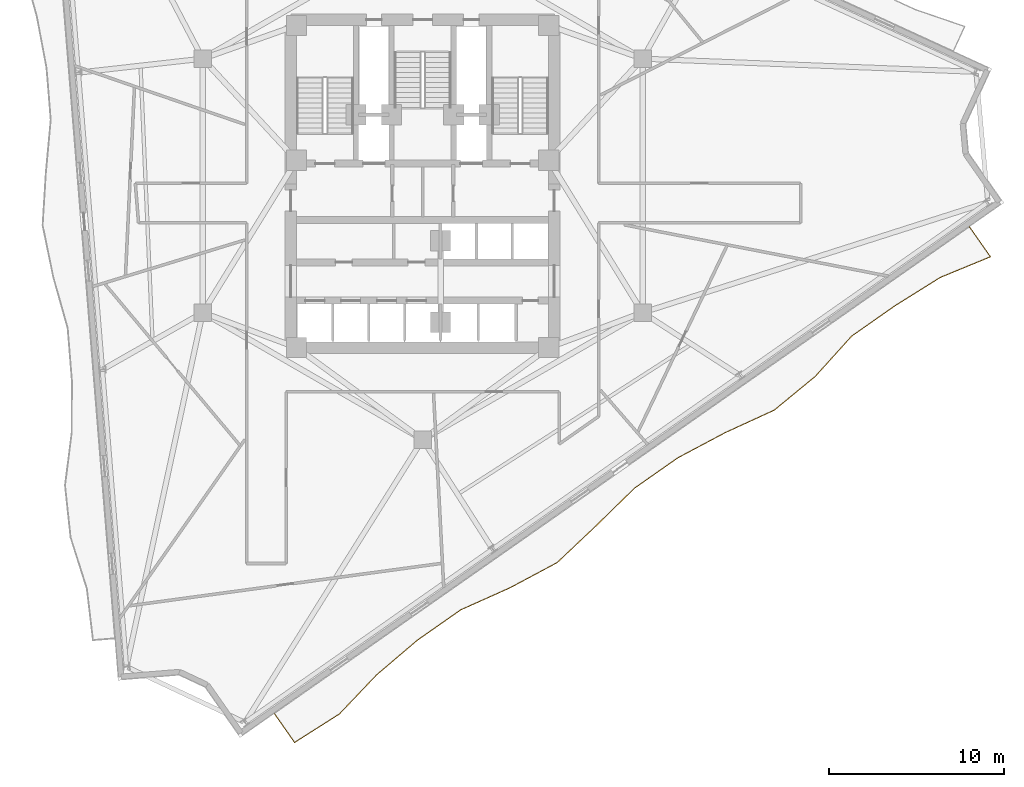
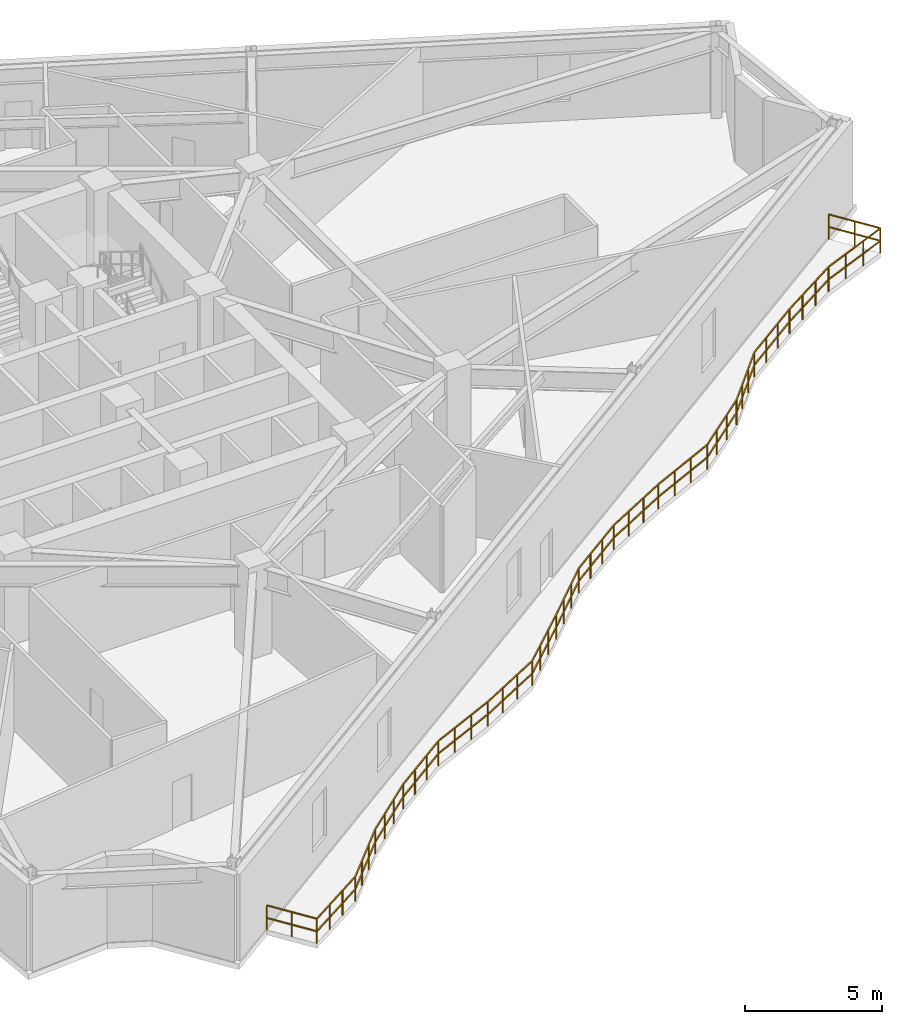
# One storey, part 10 of 12: 1 railing.
"""IFC4 building model written with IfcOpenShell, lengths in metres."""

from ifc_helpers import new_model, si_unit, direction, frame, origin, origin_2d, place, context, subcontext, project, spatial, rectangle, extrude, material, type_object, element, save


model = new_model("IFC4")

# Units and contexts
model_context = context("Model", 3, precision=1e-05, world=origin(), true_north=direction((0.0, 1.0)))
body_context = subcontext(model_context, "Body", "Model", "MODEL_VIEW")
ifc_project = project(units=[si_unit("LENGTHUNIT", "METRE"), si_unit("AREAUNIT", "SQUARE_METRE"), si_unit("VOLUMEUNIT", "CUBIC_METRE"), si_unit("PLANEANGLEUNIT", "RADIAN"), si_unit("MASSUNIT", "GRAM", prefix="KILO")], contexts=[model_context])

# Site, building, storey
site_placement = place(None, origin())
site = spatial("IfcSite", under=ifc_project, at=site_placement, CompositionType="ELEMENT")
building_placement = place(site_placement, origin())
building = spatial("IfcBuilding", under=site, at=building_placement, Name="Apsidion Concourse Tower", CompositionType="ELEMENT")
storey_placement = place(building_placement, frame((0.0, 0.0, 198.300048828125)))
storey = spatial("IfcBuildingStorey", under=building, at=storey_placement, Name="L46", CompositionType="ELEMENT", Elevation=198.300048828125)

# Railing
ifc_material = material(Name="Brushed stainless steel 316", Category="steel")
railing_type = type_object("IfcRailingType", Name="RL-BAL-1120", PredefinedType="BALUSTRADE", material=ifc_material)
railing_placement = place(storey_placement, frame((31.23095703125, -2.356689453125, 0.0)))
element("IfcRailing", 1, at=railing_placement, inside=storey, type_object=railing_type, Name="L46 Face 2 Rippling Balcony Balustrade", PredefinedType="BALUSTRADE", context=body_context, shape_type="SweptSolid", body=[
    extrude(rectangle(XDim=0.048095703125, YDim=0.048095703125, at=origin_2d()), frame((0.0, 0.0, 1.09619140625), z_axis=(0.573603781859, -0.819132896078, 0.0), x_axis=(0.819132896078, 0.573603781859, 0.0)), (0.0, 0.0, 1.0), 2.085205078125),
    extrude(rectangle(XDim=0.048095703125, YDim=0.048095703125, at=origin_2d()), frame((0.0, 0.0, 0.5361328125), z_axis=(0.573603781859, -0.819132896078, 0.0), x_axis=(0.819132896078, 0.573603781859, 0.0)), (0.0, 0.0, 1.0), 2.085205078125),
    extrude(rectangle(XDim=0.048095703125, YDim=0.048095703125, at=origin_2d()), frame((1.196044921875, -1.7080078125, 1.09619140625), z_axis=(-0.924736729056, -0.380607385549, 0.0), x_axis=(0.380607385549, -0.924736729056, 0.0)), (0.0, 0.0, 1.0), 3.10400390625),
    extrude(rectangle(XDim=0.048095703125, YDim=0.048095703125, at=origin_2d()), frame((1.196044921875, -1.7080078125, 0.5361328125), z_axis=(-0.924736729056, -0.380607385549, 0.0), x_axis=(0.380607385549, -0.924736729056, 0.0)), (0.0, 0.0, 1.0), 3.10400390625),
    extrude(rectangle(XDim=0.048095703125, YDim=0.048095703125, at=origin_2d()), frame((-1.67431640625, -2.889404296875, 1.09619140625), z_axis=(-0.84770422722, -0.530469172669, 0.0), x_axis=(0.530469172669, -0.84770422722, 0.0)), (0.0, 0.0, 1.0), 3.032958984375),
    extrude(rectangle(XDim=0.048095703125, YDim=0.048095703125, at=origin_2d()), frame((-1.67431640625, -2.889404296875, 0.5361328125), z_axis=(-0.84770422722, -0.530469172669, 0.0), x_axis=(0.530469172669, -0.84770422722, 0.0)), (0.0, 0.0, 1.0), 3.032958984375),
    extrude(rectangle(XDim=0.048095703125, YDim=0.048095703125, at=origin_2d()), frame((-4.245361328125, -4.498291015625, 1.09619140625), z_axis=(-0.819133448272, -0.573602993299, 0.0), x_axis=(0.573602993299, -0.819133448272, 0.0)), (0.0, 0.0, 1.0), 3.02880859375),
    extrude(rectangle(XDim=0.048095703125, YDim=0.048095703125, at=origin_2d()), frame((-4.245361328125, -4.498291015625, 0.5361328125), z_axis=(-0.819133448272, -0.573602993299, 0.0), x_axis=(0.573602993299, -0.819133448272, 0.0)), (0.0, 0.0, 1.0), 3.02880859375),
    extrude(rectangle(XDim=0.048095703125, YDim=0.048095703125, at=origin_2d()), frame((-6.726318359375, -6.235595703125, 1.09619140625), z_axis=(-0.670577920854, -0.741839101196, 0.0), x_axis=(0.741839101196, -0.670577920854, 0.0)), (0.0, 0.0, 1.0), 3.107421875),
    extrude(rectangle(XDim=0.048095703125, YDim=0.048095703125, at=origin_2d()), frame((-6.726318359375, -6.235595703125, 0.5361328125), z_axis=(-0.670577920854, -0.741839101196, 0.0), x_axis=(0.741839101196, -0.670577920854, 0.0)), (0.0, 0.0, 1.0), 3.107421875),
    extrude(rectangle(XDim=0.048095703125, YDim=0.048095703125, at=origin_2d()), frame((-8.81005859375, -8.540771484375, 1.09619140625), z_axis=(-0.772544622227, -0.634960476461, 0.0), x_axis=(0.634960476461, -0.772544622227, 0.0)), (0.0, 0.0, 1.0), 3.037841796875),
    extrude(rectangle(XDim=0.048095703125, YDim=0.048095703125, at=origin_2d()), frame((-8.81005859375, -8.540771484375, 0.5361328125), z_axis=(-0.772544622227, -0.634960476461, 0.0), x_axis=(0.634960476461, -0.772544622227, 0.0)), (0.0, 0.0, 1.0), 3.037841796875),
    extrude(rectangle(XDim=0.048095703125, YDim=0.048095703125, at=origin_2d()), frame((-11.156982421875, -10.4697265625, 1.09619140625), z_axis=(-0.908910843363, -0.416990502071, 0.0), x_axis=(0.416990502071, -0.908910843363, 0.0)), (0.0, 0.0, 1.0), 3.0791015625),
    extrude(rectangle(XDim=0.048095703125, YDim=0.048095703125, at=origin_2d()), frame((-11.156982421875, -10.4697265625, 0.5361328125), z_axis=(-0.908910843363, -0.416990502071, 0.0), x_axis=(0.416990502071, -0.908910843363, 0.0)), (0.0, 0.0, 1.0), 3.0791015625),
    extrude(rectangle(XDim=0.048095703125, YDim=0.048095703125, at=origin_2d()), frame((-13.95556640625, -11.753662109375, 1.09619140625), z_axis=(-0.883182000228, -0.469030440882, 0.0), x_axis=(0.469030440882, -0.883182000228, 0.0)), (0.0, 0.0, 1.0), 3.0517578125),
    extrude(rectangle(XDim=0.048095703125, YDim=0.048095703125, at=origin_2d()), frame((-13.95556640625, -11.753662109375, 0.5361328125), z_axis=(-0.883182000228, -0.469030440882, 0.0), x_axis=(0.469030440882, -0.883182000228, 0.0)), (0.0, 0.0, 1.0), 3.0517578125),
    extrude(rectangle(XDim=0.048095703125, YDim=0.048095703125, at=origin_2d()), frame((-16.65087890625, -13.18505859375, 1.09619140625), z_axis=(-0.819159967158, -0.573565121155, 0.0), x_axis=(0.573565121155, -0.819159967158, 0.0)), (0.0, 0.0, 1.0), 3.029052734375),
    extrude(rectangle(XDim=0.048095703125, YDim=0.048095703125, at=origin_2d()), frame((-16.65087890625, -13.18505859375, 0.5361328125), z_axis=(-0.819159967158, -0.573565121155, 0.0), x_axis=(0.573565121155, -0.819159967158, 0.0)), (0.0, 0.0, 1.0), 3.029052734375),
    extrude(rectangle(XDim=0.048095703125, YDim=0.048095703125, at=origin_2d()), frame((-19.132080078125, -14.92236328125, 1.09619140625), z_axis=(-0.714739815604, -0.699390446024, 0.0), x_axis=(0.699390446024, -0.714739815604, 0.0)), (0.0, 0.0, 1.0), 3.06982421875),
    extrude(rectangle(XDim=0.048095703125, YDim=0.048095703125, at=origin_2d()), frame((-19.132080078125, -14.92236328125, 0.5361328125), z_axis=(-0.714739815604, -0.699390446024, 0.0), x_axis=(0.699390446024, -0.714739815604, 0.0)), (0.0, 0.0, 1.0), 3.06982421875),
    extrude(rectangle(XDim=0.048095703125, YDim=0.048095703125, at=origin_2d()), frame((-21.326171875, -17.0693359375, 1.09619140625), z_axis=(-0.726371586183, -0.687302203391, 0.0), x_axis=(0.687302203391, -0.726371586183, 0.0)), (0.0, 0.0, 1.0), 3.06201171875),
    extrude(rectangle(XDim=0.048095703125, YDim=0.048095703125, at=origin_2d()), frame((-21.326171875, -17.0693359375, 0.5361328125), z_axis=(-0.726371586183, -0.687302203391, 0.0), x_axis=(0.687302203391, -0.726371586183, 0.0)), (0.0, 0.0, 1.0), 3.06201171875),
    extrude(rectangle(XDim=0.048095703125, YDim=0.048095703125, at=origin_2d()), frame((-23.55029296875, -19.173828125, 1.09619140625), z_axis=(-0.882051511675, -0.4711529802, 0.0), x_axis=(0.4711529802, -0.882051511675, 0.0)), (0.0, 0.0, 1.0), 3.051025390625),
    extrude(rectangle(XDim=0.048095703125, YDim=0.048095703125, at=origin_2d()), frame((-23.55029296875, -19.173828125, 0.5361328125), z_axis=(-0.882051511675, -0.4711529802, 0.0), x_axis=(0.4711529802, -0.882051511675, 0.0)), (0.0, 0.0, 1.0), 3.051025390625),
    extrude(rectangle(XDim=0.048095703125, YDim=0.048095703125, at=origin_2d()), frame((-26.241455078125, -20.611328125, 1.09619140625), z_axis=(-0.912718060879, -0.408589942785, 0.0), x_axis=(0.408589942785, -0.912718060879, 0.0)), (0.0, 0.0, 1.0), 3.08447265625),
    extrude(rectangle(XDim=0.048095703125, YDim=0.048095703125, at=origin_2d()), frame((-26.241455078125, -20.611328125, 0.5361328125), z_axis=(-0.912718060879, -0.408589942785, 0.0), x_axis=(0.408589942785, -0.912718060879, 0.0)), (0.0, 0.0, 1.0), 3.08447265625),
    extrude(rectangle(XDim=0.048095703125, YDim=0.048095703125, at=origin_2d()), frame((-29.056640625, -21.87158203125, 1.09619140625), z_axis=(-0.819159967158, -0.573565121155, 0.0), x_axis=(0.573565121155, -0.819159967158, 0.0)), (0.0, 0.0, 1.0), 3.029052734375),
    extrude(rectangle(XDim=0.048095703125, YDim=0.048095703125, at=origin_2d()), frame((-29.056640625, -21.87158203125, 0.5361328125), z_axis=(-0.819159967158, -0.573565121155, 0.0), x_axis=(0.573565121155, -0.819159967158, 0.0)), (0.0, 0.0, 1.0), 3.029052734375),
    extrude(rectangle(XDim=0.048095703125, YDim=0.048095703125, at=origin_2d()), frame((-31.537841796875, -23.60888671875, 1.09619140625), z_axis=(-0.761782878334, -0.647832421446, 0.0), x_axis=(0.647832421446, -0.761782878334, 0.0)), (0.0, 0.0, 1.0), 3.04248046875),
    extrude(rectangle(XDim=0.048095703125, YDim=0.048095703125, at=origin_2d()), frame((-31.537841796875, -23.60888671875, 0.5361328125), z_axis=(-0.761782878334, -0.647832421446, 0.0), x_axis=(0.647832421446, -0.761782878334, 0.0)), (0.0, 0.0, 1.0), 3.04248046875),
    extrude(rectangle(XDim=0.048095703125, YDim=0.048095703125, at=origin_2d()), frame((-33.85546875, -25.579833984375, 1.09619140625), z_axis=(-0.689187462417, -0.724583081259, 0.0), x_axis=(0.724583081259, -0.689187462417, 0.0)), (0.0, 0.0, 1.0), 3.090087890625),
    extrude(rectangle(XDim=0.048095703125, YDim=0.048095703125, at=origin_2d()), frame((-33.85546875, -25.579833984375, 0.5361328125), z_axis=(-0.689187462417, -0.724583081259, 0.0), x_axis=(0.724583081259, -0.689187462417, 0.0)), (0.0, 0.0, 1.0), 3.090087890625),
    extrude(rectangle(XDim=0.048095703125, YDim=0.048095703125, at=origin_2d()), frame((-35.985107421875, -27.81884765625, 1.09619140625), z_axis=(-0.844433077308, -0.535661066298, 0.0), x_axis=(0.535661066298, -0.844433077308, 0.0)), (0.0, 0.0, 1.0), 3.0322265625),
    extrude(rectangle(XDim=0.048095703125, YDim=0.048095703125, at=origin_2d()), frame((-35.985107421875, -27.81884765625, 0.5361328125), z_axis=(-0.844433077308, -0.535661066298, 0.0), x_axis=(0.535661066298, -0.844433077308, 0.0)), (0.0, 0.0, 1.0), 3.0322265625),
    extrude(rectangle(XDim=0.048095703125, YDim=0.048095703125, at=origin_2d()), frame((-38.545654296875, -29.443115234375, 1.09619140625), z_axis=(-0.573535722909, 0.81918055064, 0.0), x_axis=(-0.81918055064, -0.573535722909, 0.0)), (0.0, 0.0, 1.0), 2.009521484375),
    extrude(rectangle(XDim=0.048095703125, YDim=0.048095703125, at=origin_2d()), frame((-38.545654296875, -29.443115234375, 0.5361328125), z_axis=(-0.573535722909, 0.81918055064, 0.0), x_axis=(-0.81918055064, -0.573535722909, 0.0)), (0.0, 0.0, 1.0), 2.009521484375),
    extrude(rectangle(XDim=0.0419921875, YDim=0.0419921875, at=origin_2d()), origin(), (0.0, 0.0, 1.0), 1.072021484375),
    extrude(rectangle(XDim=0.0419921875, YDim=0.0419921875, at=origin_2d()), frame((0.59814453125, -0.85400390625, 0.0)), (0.0, 0.0, 1.0), 1.072021484375),
    extrude(rectangle(XDim=0.0419921875, YDim=0.0419921875, at=origin_2d()), frame((1.196044921875, -1.7080078125, 0.0)), (0.0, 0.0, 1.0), 1.072021484375),
    extrude(rectangle(XDim=0.0419921875, YDim=0.0419921875, at=origin_2d()), frame((0.2392578125, -2.101806640625, 0.0)), (0.0, 0.0, 1.0), 1.072021484375),
    extrude(rectangle(XDim=0.0419921875, YDim=0.0419921875, at=origin_2d()), frame((-0.717529296875, -2.49560546875, 0.0)), (0.0, 0.0, 1.0), 1.072021484375),
    extrude(rectangle(XDim=0.0419921875, YDim=0.0419921875, at=origin_2d()), frame((-1.67431640625, -2.889404296875, 0.0)), (0.0, 0.0, 1.0), 1.072021484375),
    extrude(rectangle(XDim=0.0419921875, YDim=0.0419921875, at=origin_2d()), frame((-2.53125, -3.42578125, 0.0)), (0.0, 0.0, 1.0), 1.072021484375),
    extrude(rectangle(XDim=0.0419921875, YDim=0.0419921875, at=origin_2d()), frame((-3.388427734375, -3.9619140625, 0.0)), (0.0, 0.0, 1.0), 1.072021484375),
    extrude(rectangle(XDim=0.0419921875, YDim=0.0419921875, at=origin_2d()), frame((-4.245361328125, -4.498291015625, 0.0)), (0.0, 0.0, 1.0), 1.072021484375),
    extrude(rectangle(XDim=0.0419921875, YDim=0.0419921875, at=origin_2d()), frame((-5.072265625, -5.077392578125, 0.0)), (0.0, 0.0, 1.0), 1.072021484375),
    extrude(rectangle(XDim=0.0419921875, YDim=0.0419921875, at=origin_2d()), frame((-5.8994140625, -5.656494140625, 0.0)), (0.0, 0.0, 1.0), 1.072021484375),
    extrude(rectangle(XDim=0.0419921875, YDim=0.0419921875, at=origin_2d()), frame((-6.726318359375, -6.235595703125, 0.0)), (0.0, 0.0, 1.0), 1.072021484375),
    extrude(rectangle(XDim=0.0419921875, YDim=0.0419921875, at=origin_2d()), frame((-7.4208984375, -7.00390625, 0.0)), (0.0, 0.0, 1.0), 1.072021484375),
    extrude(rectangle(XDim=0.0419921875, YDim=0.0419921875, at=origin_2d()), frame((-8.115478515625, -7.7724609375, 0.0)), (0.0, 0.0, 1.0), 1.072021484375),
    extrude(rectangle(XDim=0.0419921875, YDim=0.0419921875, at=origin_2d()), frame((-8.81005859375, -8.540771484375, 0.0)), (0.0, 0.0, 1.0), 1.072021484375),
    extrude(rectangle(XDim=0.0419921875, YDim=0.0419921875, at=origin_2d()), frame((-9.59228515625, -9.183837890625, 0.0)), (0.0, 0.0, 1.0), 1.072021484375),
    extrude(rectangle(XDim=0.0419921875, YDim=0.0419921875, at=origin_2d()), frame((-10.374755859375, -9.82666015625, 0.0)), (0.0, 0.0, 1.0), 1.072021484375),
    extrude(rectangle(XDim=0.0419921875, YDim=0.0419921875, at=origin_2d()), frame((-11.156982421875, -10.4697265625, 0.0)), (0.0, 0.0, 1.0), 1.072021484375),
    extrude(rectangle(XDim=0.0419921875, YDim=0.0419921875, at=origin_2d()), frame((-12.08984375, -10.897705078125, 0.0)), (0.0, 0.0, 1.0), 1.072021484375),
    extrude(rectangle(XDim=0.0419921875, YDim=0.0419921875, at=origin_2d()), frame((-13.022705078125, -11.32568359375, 0.0)), (0.0, 0.0, 1.0), 1.072021484375),
    extrude(rectangle(XDim=0.0419921875, YDim=0.0419921875, at=origin_2d()), frame((-13.95556640625, -11.753662109375, 0.0)), (0.0, 0.0, 1.0), 1.072021484375),
    extrude(rectangle(XDim=0.0419921875, YDim=0.0419921875, at=origin_2d()), frame((-14.85400390625, -12.230712890625, 0.0)), (0.0, 0.0, 1.0), 1.072021484375),
    extrude(rectangle(XDim=0.0419921875, YDim=0.0419921875, at=origin_2d()), frame((-15.75244140625, -12.7080078125, 0.0)), (0.0, 0.0, 1.0), 1.072021484375),
    extrude(rectangle(XDim=0.0419921875, YDim=0.0419921875, at=origin_2d()), frame((-16.65087890625, -13.18505859375, 0.0)), (0.0, 0.0, 1.0), 1.072021484375),
    extrude(rectangle(XDim=0.0419921875, YDim=0.0419921875, at=origin_2d()), frame((-17.47802734375, -13.76416015625, 0.0)), (0.0, 0.0, 1.0), 1.072021484375),
    extrude(rectangle(XDim=0.0419921875, YDim=0.0419921875, at=origin_2d()), frame((-18.304931640625, -14.34326171875, 0.0)), (0.0, 0.0, 1.0), 1.072021484375),
    extrude(rectangle(XDim=0.0419921875, YDim=0.0419921875, at=origin_2d()), frame((-19.132080078125, -14.92236328125, 0.0)), (0.0, 0.0, 1.0), 1.072021484375),
    extrude(rectangle(XDim=0.0419921875, YDim=0.0419921875, at=origin_2d()), frame((-19.863525390625, -15.637939453125, 0.0)), (0.0, 0.0, 1.0), 1.072021484375),
    extrude(rectangle(XDim=0.0419921875, YDim=0.0419921875, at=origin_2d()), frame((-20.5947265625, -16.353759765625, 0.0)), (0.0, 0.0, 1.0), 1.072021484375),
    extrude(rectangle(XDim=0.0419921875, YDim=0.0419921875, at=origin_2d()), frame((-21.326171875, -17.0693359375, 0.0)), (0.0, 0.0, 1.0), 1.072021484375),
    extrude(rectangle(XDim=0.0419921875, YDim=0.0419921875, at=origin_2d()), frame((-22.067626953125, -17.770751953125, 0.0)), (0.0, 0.0, 1.0), 1.072021484375),
    extrude(rectangle(XDim=0.0419921875, YDim=0.0419921875, at=origin_2d()), frame((-22.808837890625, -18.472412109375, 0.0)), (0.0, 0.0, 1.0), 1.072021484375),
    extrude(rectangle(XDim=0.0419921875, YDim=0.0419921875, at=origin_2d()), frame((-23.55029296875, -19.173828125, 0.0)), (0.0, 0.0, 1.0), 1.072021484375),
    extrude(rectangle(XDim=0.0419921875, YDim=0.0419921875, at=origin_2d()), frame((-24.447265625, -19.653076171875, 0.0)), (0.0, 0.0, 1.0), 1.072021484375),
    extrude(rectangle(XDim=0.0419921875, YDim=0.0419921875, at=origin_2d()), frame((-25.344482421875, -20.132080078125, 0.0)), (0.0, 0.0, 1.0), 1.072021484375),
    extrude(rectangle(XDim=0.0419921875, YDim=0.0419921875, at=origin_2d()), frame((-26.241455078125, -20.611328125, 0.0)), (0.0, 0.0, 1.0), 1.072021484375),
    extrude(rectangle(XDim=0.0419921875, YDim=0.0419921875, at=origin_2d()), frame((-27.179931640625, -21.031494140625, 0.0)), (0.0, 0.0, 1.0), 1.072021484375),
    extrude(rectangle(XDim=0.0419921875, YDim=0.0419921875, at=origin_2d()), frame((-28.1181640625, -21.451416015625, 0.0)), (0.0, 0.0, 1.0), 1.072021484375),
    extrude(rectangle(XDim=0.0419921875, YDim=0.0419921875, at=origin_2d()), frame((-29.056640625, -21.87158203125, 0.0)), (0.0, 0.0, 1.0), 1.072021484375),
    extrude(rectangle(XDim=0.0419921875, YDim=0.0419921875, at=origin_2d()), frame((-29.8837890625, -22.45068359375, 0.0)), (0.0, 0.0, 1.0), 1.072021484375),
    extrude(rectangle(XDim=0.0419921875, YDim=0.0419921875, at=origin_2d()), frame((-30.710693359375, -23.02978515625, 0.0)), (0.0, 0.0, 1.0), 1.072021484375),
    extrude(rectangle(XDim=0.0419921875, YDim=0.0419921875, at=origin_2d()), frame((-31.537841796875, -23.60888671875, 0.0)), (0.0, 0.0, 1.0), 1.072021484375),
    extrude(rectangle(XDim=0.0419921875, YDim=0.0419921875, at=origin_2d()), frame((-32.310302734375, -24.265869140625, 0.0)), (0.0, 0.0, 1.0), 1.072021484375),
    extrude(rectangle(XDim=0.0419921875, YDim=0.0419921875, at=origin_2d()), frame((-33.0830078125, -24.9228515625, 0.0)), (0.0, 0.0, 1.0), 1.072021484375),
    extrude(rectangle(XDim=0.0419921875, YDim=0.0419921875, at=origin_2d()), frame((-33.85546875, -25.579833984375, 0.0)), (0.0, 0.0, 1.0), 1.072021484375),
    extrude(rectangle(XDim=0.0419921875, YDim=0.0419921875, at=origin_2d()), frame((-34.5654296875, -26.326171875, 0.0)), (0.0, 0.0, 1.0), 1.072021484375),
    extrude(rectangle(XDim=0.0419921875, YDim=0.0419921875, at=origin_2d()), frame((-35.275146484375, -27.072509765625, 0.0)), (0.0, 0.0, 1.0), 1.072021484375),
    extrude(rectangle(XDim=0.0419921875, YDim=0.0419921875, at=origin_2d()), frame((-35.985107421875, -27.81884765625, 0.0)), (0.0, 0.0, 1.0), 1.072021484375),
    extrude(rectangle(XDim=0.0419921875, YDim=0.0419921875, at=origin_2d()), frame((-36.838623046875, -28.3603515625, 0.0)), (0.0, 0.0, 1.0), 1.072021484375),
    extrude(rectangle(XDim=0.0419921875, YDim=0.0419921875, at=origin_2d()), frame((-37.692138671875, -28.901611328125, 0.0)), (0.0, 0.0, 1.0), 1.072021484375),
    extrude(rectangle(XDim=0.0419921875, YDim=0.0419921875, at=origin_2d()), frame((-38.545654296875, -29.443115234375, 0.0)), (0.0, 0.0, 1.0), 1.072021484375),
    extrude(rectangle(XDim=0.0419921875, YDim=0.0419921875, at=origin_2d()), frame((-39.1220703125, -28.6201171875, 0.0)), (0.0, 0.0, 1.0), 1.072021484375),
    extrude(rectangle(XDim=0.0419921875, YDim=0.0419921875, at=origin_2d()), frame((-39.6982421875, -27.796875, 0.0)), (0.0, 0.0, 1.0), 1.072021484375),
])

save(model, "model.ifc")
